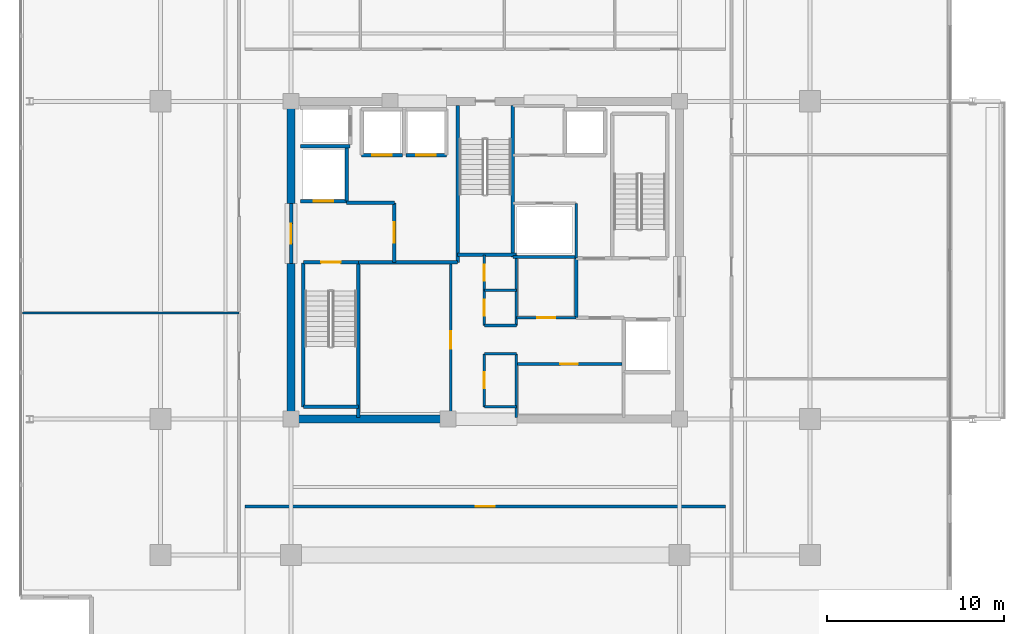
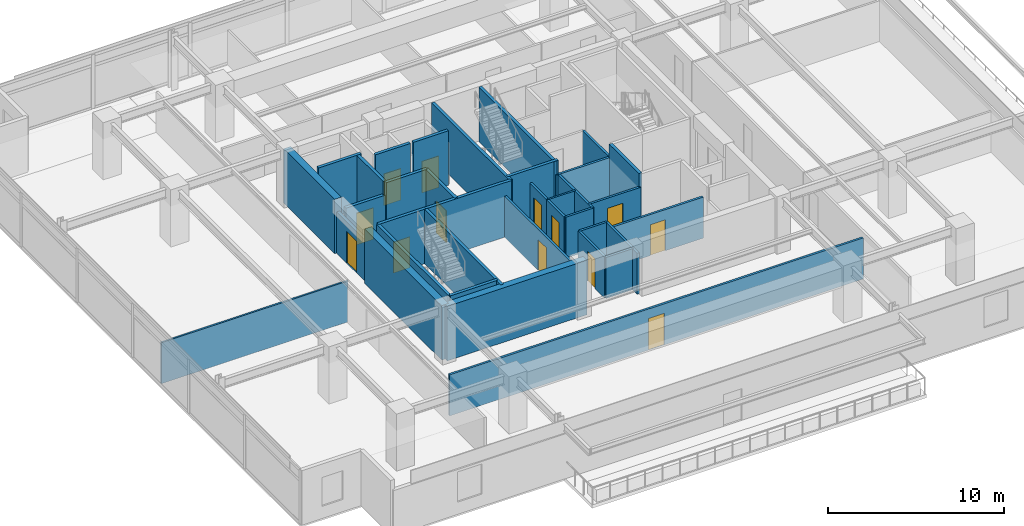
# One storey, part 14 of 21: 36 walls, 13 doors, 13 openings.
"""IFC4 building model written with IfcOpenShell, lengths in metres."""

from ifc_helpers import new_model, si_unit, direction, frame, frame_2d, origin, place, context, subcontext, project, spatial, rectangle, extrude, material, layer, layer_set, type_object, element, fill, save


model = new_model("IFC4")

# Units and contexts
model_context = context("Model", 3, precision=1e-05, world=origin(), true_north=direction((0.0, 1.0)))
body_context = subcontext(model_context, "Body", "Model", "MODEL_VIEW")
ifc_project = project(units=[si_unit("LENGTHUNIT", "METRE"), si_unit("AREAUNIT", "SQUARE_METRE"), si_unit("VOLUMEUNIT", "CUBIC_METRE"), si_unit("PLANEANGLEUNIT", "RADIAN"), si_unit("MASSUNIT", "GRAM", prefix="KILO")], contexts=[model_context])

# Site, building, storey
site_placement = place(None, origin())
site = spatial("IfcSite", under=ifc_project, at=site_placement, CompositionType="ELEMENT")
building_placement = place(site_placement, origin())
building = spatial("IfcBuilding", under=site, at=building_placement, Name="Kovane Verandah Tower", CompositionType="ELEMENT")
storey_placement = place(building_placement, frame((0.0, 0.0, 263.199951171875)))
storey = spatial("IfcBuildingStorey", under=building, at=storey_placement, Name="L61", CompositionType="ELEMENT", Elevation=263.199951171875)

# Walls
ifc_material_1 = material(Name="Fire-Rated Gypsum Stud Partition", Category="gypsum")
ifc_layer_1 = layer(ifc_material_1, 0.14990234375)
ifc_layer_set_1 = layer_set([ifc_layer_1], Name="Fire-Rated Gypsum Stud Partition")
wall_type_1 = type_object("IfcWallType", Name="WL-COR-150", PredefinedType="PARTITIONING", material=ifc_layer_set_1)
for number, where, z_axis, x_axis, name in (
    (1, (39.949951171875, 19.199951171875, 0.0), (0.0, 0.0, 1.0), (1.0, 0.0, 0.0), "L61 Central Core Strip South Wall"),
    (2, (39.949951171875, 22.199951171875, 0.0), (0.0, 0.0, 1.0), (1.0, 0.0, 0.0), "L61 Core Cross-Passage South Wall"),
    (3, (39.949951171875, 23.800048828125, 0.0), (0.0, 0.0, 1.0), (1.0, 0.0, 0.0), "L61 Core Cross-Passage North Wall"),
):
    element("IfcWall", number, at=place(storey_placement, frame(where, z_axis=z_axis, x_axis=x_axis)), inside=storey, type_object=wall_type_1, Name=name, PredefinedType="PARTITIONING", context=body_context, shape_type="SweptSolid", body=[
        extrude(rectangle(XDim=1.81005859375, YDim=0.14990234375, at=frame_2d((0.905029296875, 0.0))), origin(), (0.0, 0.0, 1.0), 2.85009765625),
    ])
wall_1_placement = place(storey_placement, frame((41.760009765625, 18.60009765625, 0.0), z_axis=(0.0, 0.0, 1.0), x_axis=(0.0, 1.0, 0.0)))
element("IfcWall", 4, at=wall_1_placement, inside=storey, type_object=wall_type_1, Name="L61 Central Core Strip Lower East Wall", PredefinedType="PARTITIONING", context=body_context, shape_type="SweptSolid", body=[
    extrude(rectangle(XDim=3.599853515625, YDim=0.14990234375, at=frame_2d((1.7998046875, 0.0))), origin(), (0.0, 0.0, 1.0), 2.85009765625),
])
wall_2_placement = place(storey_placement, frame((41.760009765625, 23.800048828125, 0.0), z_axis=(0.0, 0.0, 1.0), x_axis=(0.0, 1.0, 0.0)))
element("IfcWall", 5, at=wall_2_placement, inside=storey, type_object=wall_type_1, Name="L61 Central Core Strip Upper East Wall", PredefinedType="PARTITIONING", context=body_context, shape_type="SweptSolid", body=[
    extrude(rectangle(XDim=4.0, YDim=0.14990234375, at=frame_2d((2.0, 0.0))), origin(), (0.0, 0.0, 1.0), 2.85009765625),
])

# Wall, opening, door
wall_3_placement = place(storey_placement, frame((39.949951171875, 19.199951171875, 0.0), z_axis=(0.0, 0.0, 1.0), x_axis=(0.0, 1.0, 0.0)))
wall_3 = element("IfcWall", 6, at=wall_3_placement, inside=storey, type_object=wall_type_1, Name="L61 Male Toilet Partition", PredefinedType="PARTITIONING", context=body_context, shape_type="SweptSolid", body=[
    extrude(rectangle(XDim=3.0, YDim=0.14990234375, at=frame_2d((1.5, 0.0))), origin(), (0.0, 0.0, 1.0), 2.85009765625),
])
opening_1_placement = place(wall_3_placement, frame((1.050048828125, 0.0, 0.0)))
opening_1 = element("IfcOpeningElement", 7, at=opening_1_placement, cuts=wall_3, Name="Opening DR-L61-026", PredefinedType="OPENING", context=body_context, shape_type="SweptSolid", body=[
    extrude(rectangle(XDim=0.89990234375, YDim=2.10009765625, at=frame_2d((0.449951171875, 1.050048828125))), frame((0.0, 0.074951171875, 0.0), z_axis=(0.0, -1.0, 0.0), x_axis=(1.0, 0.0, 0.0)), (0.0, 0.0, 1.0), 0.14990234375),
])
ifc_material_2 = material(Name="Moisture-Resistant Laminate Washroom Door", Category="wood")
door_type_1 = type_object("IfcDoorType", Name="DR-WC-900", OperationType="SINGLE_SWING_LEFT", PredefinedType="DOOR", material=ifc_material_2)
door_1_placement = place(opening_1_placement, origin())
door_1 = element("IfcDoor", 8, at=door_1_placement, inside=storey, type_object=door_type_1, Name="L61 Male Toilet Door", OperationType="SINGLE_SWING_RIGHT", OverallHeight=2.10009765625, OverallWidth=0.89990234375, PredefinedType="DOOR", context=body_context, shape_type="SweptSolid", body=[
    extrude(rectangle(XDim=0.89990234375, YDim=2.10009765625, at=frame_2d((0.449951171875, 1.050048828125))), frame((0.0, 0.02490234375, 0.0), z_axis=(0.0, -1.0, 0.0), x_axis=(1.0, 0.0, 0.0)), (0.0, 0.0, 1.0), 0.050048828125),
])
fill(opening_1, door_1)

wall_4_placement = place(storey_placement, frame((39.949951171875, 23.800048828125, 0.0), z_axis=(0.0, 0.0, 1.0), x_axis=(0.0, 1.0, 0.0)))
wall_4 = element("IfcWall", 9, at=wall_4_placement, inside=storey, type_object=wall_type_1, Name="L61 Female Toilet Partition", PredefinedType="PARTITIONING", context=body_context, shape_type="SweptSolid", body=[
    extrude(rectangle(XDim=2.0, YDim=0.14990234375, at=frame_2d((1.0, 0.0))), origin(), (0.0, 0.0, 1.0), 2.85009765625),
])
opening_2_placement = place(wall_4_placement, frame((0.550048828125, 0.0, 0.0)))
opening_2 = element("IfcOpeningElement", 10, at=opening_2_placement, cuts=wall_4, Name="Opening DR-L61-025", PredefinedType="OPENING", context=body_context, shape_type="SweptSolid", body=[
    extrude(rectangle(XDim=0.89990234375, YDim=2.10009765625, at=frame_2d((0.449951171875, 1.050048828125))), frame((0.0, 0.074951171875, 0.0), z_axis=(0.0, -1.0, 0.0), x_axis=(1.0, 0.0, 0.0)), (0.0, 0.0, 1.0), 0.14990234375),
])
door_2_placement = place(opening_2_placement, origin())
door_2 = element("IfcDoor", 11, at=door_2_placement, inside=storey, type_object=door_type_1, Name="L61 Female Toilet Door", OperationType="SINGLE_SWING_LEFT", OverallHeight=2.10009765625, OverallWidth=0.89990234375, PredefinedType="DOOR", context=body_context, shape_type="SweptSolid", body=[
    extrude(rectangle(XDim=0.89990234375, YDim=2.10009765625, at=frame_2d((0.449951171875, 1.050048828125))), frame((0.0, 0.02490234375, 0.0), z_axis=(0.0, -1.0, 0.0), x_axis=(1.0, 0.0, 0.0)), (0.0, 0.0, 1.0), 0.050048828125),
])
fill(opening_2, door_2)

wall_5_placement = place(storey_placement, frame((39.949951171875, 25.800048828125, 0.0), z_axis=(0.0, 0.0, 1.0), x_axis=(0.0, 1.0, 0.0)))
wall_5 = element("IfcWall", 12, at=wall_5_placement, inside=storey, type_object=wall_type_1, Name="L61 Accessible Unisex Toilet Partition", PredefinedType="PARTITIONING", context=body_context, shape_type="SweptSolid", body=[
    extrude(rectangle(XDim=2.0, YDim=0.14990234375, at=frame_2d((1.0, 0.0))), origin(), (0.0, 0.0, 1.0), 2.85009765625),
])
opening_3_placement = place(wall_5_placement, frame((0.550048828125, 0.0, 0.0)))
opening_3 = element("IfcOpeningElement", 13, at=opening_3_placement, cuts=wall_5, Name="Opening DR-L61-024", PredefinedType="OPENING", context=body_context, shape_type="SweptSolid", body=[
    extrude(rectangle(XDim=0.89990234375, YDim=2.10009765625, at=frame_2d((0.449951171875, 1.050048828125))), frame((0.0, 0.074951171875, 0.0), z_axis=(0.0, -1.0, 0.0), x_axis=(1.0, 0.0, 0.0)), (0.0, 0.0, 1.0), 0.14990234375),
])
door_3_placement = place(opening_3_placement, origin())
door_3 = element("IfcDoor", 14, at=door_3_placement, inside=storey, type_object=door_type_1, Name="L61 Accessible Unisex Toilet Door", OperationType="SINGLE_SWING_RIGHT", OverallHeight=2.10009765625, OverallWidth=0.89990234375, PredefinedType="DOOR", context=body_context, shape_type="SweptSolid", body=[
    extrude(rectangle(XDim=0.89990234375, YDim=2.10009765625, at=frame_2d((0.449951171875, 1.050048828125))), frame((0.0, 0.02490234375, 0.0), z_axis=(0.0, -1.0, 0.0), x_axis=(1.0, 0.0, 0.0)), (0.0, 0.0, 1.0), 0.050048828125),
])
fill(opening_3, door_3)

wall_6_placement = place(storey_placement, frame((38.050048828125, 18.60009765625, 0.0), z_axis=(0.0, 0.0, 1.0), x_axis=(0.0, 1.0, 0.0)))
wall_6 = element("IfcWall", 15, at=wall_6_placement, inside=storey, type_object=wall_type_1, Name="L61 Tenant Wellness and Archive Suite Partition", PredefinedType="PARTITIONING", context=body_context, shape_type="SweptSolid", body=[
    extrude(rectangle(XDim=8.77978515625, YDim=0.14990234375, at=frame_2d((4.389892578125, 0.0))), origin(), (0.0, 0.0, 1.0), 2.85009765625),
])
opening_4_placement = place(wall_6_placement, frame((3.889892578125, 0.0, 0.0)))
opening_4 = element("IfcOpeningElement", 16, at=opening_4_placement, cuts=wall_6, Name="Opening DR-L61-014", PredefinedType="OPENING", context=body_context, shape_type="SweptSolid", body=[
    extrude(rectangle(XDim=1.0, YDim=2.14990234375, at=frame_2d((0.5, 1.074951171875))), frame((0.0, 0.074951171875, 0.0), z_axis=(0.0, -1.0, 0.0), x_axis=(1.0, 0.0, 0.0)), (0.0, 0.0, 1.0), 0.14990234375),
])
ifc_material_3 = material(Name="FSC Spotted-Gum Timber Fire-Rated Office Door", Category="wood")
door_type_2 = type_object("IfcDoorType", Name="DR-OFF-1000", OperationType="SINGLE_SWING_LEFT", PredefinedType="DOOR", material=ifc_material_3)
door_4_placement = place(opening_4_placement, origin())
door_4 = element("IfcDoor", 17, at=door_4_placement, inside=storey, type_object=door_type_2, Name="L61 Tenant Wellness and Archive Suite Door", OperationType="SINGLE_SWING_LEFT", OverallHeight=2.14990234375, OverallWidth=1.0, PredefinedType="DOOR", context=body_context, shape_type="SweptSolid", body=[
    extrude(rectangle(XDim=1.0, YDim=2.14990234375, at=frame_2d((0.5, 1.074951171875))), frame((0.0, 0.02490234375, 0.0), z_axis=(0.0, -1.0, 0.0), x_axis=(1.0, 0.0, 0.0)), (0.0, 0.0, 1.0), 0.050048828125),
])
fill(opening_4, door_4)

# Wall
wall_7_placement = place(storey_placement, frame((41.56005859375, 27.679931640625, 0.0), z_axis=(0.0, 0.0, 1.0), x_axis=(1.0, 0.0, 0.0)))
element("IfcWall", 18, at=wall_7_placement, inside=storey, type_object=wall_type_1, Name="L61 East Core Service Riser South Wall", PredefinedType="PARTITIONING", context=body_context, shape_type="SweptSolid", body=[
    extrude(rectangle(XDim=3.58984375, YDim=0.14990234375, at=frame_2d((1.794921875, 0.0))), origin(), (0.0, 0.0, 1.0), 2.85009765625),
])

# Wall, opening, door
wall_8_placement = place(storey_placement, frame((41.760009765625, 21.6201171875, 0.0), z_axis=(0.0, 0.0, 1.0), x_axis=(1.0, 0.0, 0.0)))
wall_8 = element("IfcWall", 19, at=wall_8_placement, inside=storey, type_object=wall_type_1, Name="L61 Records Vault Room Partition", PredefinedType="PARTITIONING", context=body_context, shape_type="SweptSolid", body=[
    extrude(rectangle(XDim=5.97998046875, YDim=0.14990234375, at=frame_2d((2.989990234375, 0.0))), origin(), (0.0, 0.0, 1.0), 2.85009765625),
])
opening_5_placement = place(wall_8_placement, frame((2.489990234375, 0.0, 0.0)))
opening_5 = element("IfcOpeningElement", 20, at=opening_5_placement, cuts=wall_8, Name="Opening DR-L61-015", PredefinedType="OPENING", context=body_context, shape_type="SweptSolid", body=[
    extrude(rectangle(XDim=1.0, YDim=2.14990234375, at=frame_2d((0.5, 1.074951171875))), frame((0.0, 0.074951171875, 0.0), z_axis=(0.0, -1.0, 0.0), x_axis=(1.0, 0.0, 0.0)), (0.0, 0.0, 1.0), 0.14990234375),
])
door_5_placement = place(opening_5_placement, origin())
door_5 = element("IfcDoor", 21, at=door_5_placement, inside=storey, type_object=door_type_2, Name="L61 Records Vault Room Door", OperationType="SINGLE_SWING_RIGHT", OverallHeight=2.14990234375, OverallWidth=1.0, PredefinedType="DOOR", context=body_context, shape_type="SweptSolid", body=[
    extrude(rectangle(XDim=1.0, YDim=2.14990234375, at=frame_2d((0.5, 1.074951171875))), frame((0.0, 0.02490234375, 0.0), z_axis=(0.0, -1.0, 0.0), x_axis=(1.0, 0.0, 0.0)), (0.0, 0.0, 1.0), 0.050048828125),
])
fill(opening_5, door_5)

wall_9_placement = place(storey_placement, frame((41.760009765625, 24.25, 0.0), z_axis=(0.0, 0.0, 1.0), x_axis=(1.0, 0.0, 0.0)))
wall_9 = element("IfcWall", 22, at=wall_9_placement, inside=storey, type_object=wall_type_1, Name="L61 Document Archive Room Partition", PredefinedType="PARTITIONING", context=body_context, shape_type="SweptSolid", body=[
    extrude(rectangle(XDim=3.389892578125, YDim=0.14990234375, at=frame_2d((1.69482421875, 0.0))), origin(), (0.0, 0.0, 1.0), 2.85009765625),
])
opening_6_placement = place(wall_9_placement, frame((1.195068359375, 0.0, 0.0)))
opening_6 = element("IfcOpeningElement", 23, at=opening_6_placement, cuts=wall_9, Name="Opening DR-L61-016", PredefinedType="OPENING", context=body_context, shape_type="SweptSolid", body=[
    extrude(rectangle(XDim=1.0, YDim=2.14990234375, at=frame_2d((0.5, 1.074951171875))), frame((0.0, 0.074951171875, 0.0), z_axis=(0.0, -1.0, 0.0), x_axis=(1.0, 0.0, 0.0)), (0.0, 0.0, 1.0), 0.14990234375),
])
door_6_placement = place(opening_6_placement, origin())
door_6 = element("IfcDoor", 24, at=door_6_placement, inside=storey, type_object=door_type_2, Name="L61 Document Archive Room Door", OperationType="SINGLE_SWING_LEFT", OverallHeight=2.14990234375, OverallWidth=1.0, PredefinedType="DOOR", context=body_context, shape_type="SweptSolid", body=[
    extrude(rectangle(XDim=1.0, YDim=2.14990234375, at=frame_2d((0.5, 1.074951171875))), frame((0.0, 0.02490234375, 0.0), z_axis=(0.0, -1.0, 0.0), x_axis=(1.0, 0.0, 0.0)), (0.0, 0.0, 1.0), 0.050048828125),
])
fill(opening_6, door_6)

# Wall
wall_10_placement = place(storey_placement, frame((45.14990234375, 27.6201171875, 0.0), z_axis=(0.0, 0.0, 1.0), x_axis=(0.0, 1.0, 0.0)))
element("IfcWall", 25, at=wall_10_placement, inside=storey, type_object=wall_type_1, Name="L61 East Core Service Riser East Wall", PredefinedType="PARTITIONING", context=body_context, shape_type="SweptSolid", body=[
    extrude(rectangle(XDim=3.099853515625, YDim=0.14990234375, at=frame_2d((1.5498046875, 0.0))), origin(), (0.0, 0.0, 1.0), 2.85009765625),
])

# Wall, opening, door
wall_11_placement = place(storey_placement, frame((26.39990234375, 13.550048828125, 0.0), z_axis=(0.0, 0.0, 1.0), x_axis=(1.0, 0.0, 0.0)))
wall_11 = element("IfcWall", 26, at=wall_11_placement, inside=storey, type_object=wall_type_1, Name="L61 Executive Office S1 Corridor Partition", PredefinedType="PARTITIONING", context=body_context, shape_type="SweptSolid", body=[
    extrude(rectangle(XDim=27.2001953125, YDim=0.14990234375, at=frame_2d((13.60009765625, 0.0))), origin(), (0.0, 0.0, 1.0), 2.85009765625),
])
opening_7_placement = place(wall_11_placement, frame((13.074951171875, 0.0, 0.0)))
opening_7 = element("IfcOpeningElement", 27, at=opening_7_placement, cuts=wall_11, Name="Opening DR-L61-023", PredefinedType="OPENING", context=body_context, shape_type="SweptSolid", body=[
    extrude(rectangle(XDim=1.050048828125, YDim=2.199951171875, at=frame_2d((0.52490234375, 1.10009765625))), frame((0.0, 0.074951171875, 0.0), z_axis=(0.0, -1.0, 0.0), x_axis=(1.0, 0.0, 0.0)), (0.0, 0.0, 1.0), 0.14990234375),
])
ifc_material_4 = material(Name="FSC Blackbutt Timber Fire-Rated Executive Door", Category="wood")
door_type_3 = type_object("IfcDoorType", Name="DR-EXEC-1050", OperationType="SINGLE_SWING_LEFT", PredefinedType="DOOR", material=ifc_material_4)
door_7_placement = place(opening_7_placement, origin())
door_7 = element("IfcDoor", 28, at=door_7_placement, inside=storey, type_object=door_type_3, Name="L61 Executive Office S1 Entrance Door", OperationType="SINGLE_SWING_RIGHT", OverallHeight=2.199951171875, OverallWidth=1.050048828125, PredefinedType="DOOR", context=body_context, shape_type="SweptSolid", body=[
    extrude(rectangle(XDim=1.050048828125, YDim=2.199951171875, at=frame_2d((0.52490234375, 1.10009765625))), frame((0.0, 0.02490234375, 0.0), z_axis=(0.0, -1.0, 0.0), x_axis=(1.0, 0.0, 0.0)), (0.0, 0.0, 1.0), 0.050048828125),
])
fill(opening_7, door_7)

# Walls
ifc_material_5 = material(Name="Concrete C60/75", Category="concrete")
ifc_layer_2 = layer(ifc_material_5, 0.449951171875)
ifc_layer_set_2 = layer_set([ifc_layer_2], Name="Concrete C60/75")
wall_type_2 = type_object("IfcWallType", Name="WL-CORE-450", PredefinedType="SHEAR", material=ifc_layer_set_2)
wall_12_placement = place(storey_placement, frame((29.0, 18.5, 0.0), z_axis=(0.0, 0.0, 1.0), x_axis=(1.0, 0.0, 0.0)))
element("IfcWall", 29, at=wall_12_placement, inside=storey, type_object=wall_type_2, Name="L61 Core Shear Wall CS-1", PredefinedType="SHEAR", context=body_context, shape_type="SweptSolid", body=[
    extrude(rectangle(XDim=9.199951171875, YDim=0.449951171875, at=frame_2d((4.60009765625, 0.0))), origin(), (0.0, 0.0, 1.0), 3.78515625),
])
wall_13_placement = place(storey_placement, frame((29.0, 18.5, 0.0), z_axis=(0.0, 0.0, 1.0), x_axis=(0.0, 1.0, 0.0)))
element("IfcWall", 30, at=wall_13_placement, inside=storey, type_object=wall_type_2, Name="L61 Core Shear Wall CW-1", PredefinedType="SHEAR", context=body_context, shape_type="SweptSolid", body=[
    extrude(rectangle(XDim=8.800048828125, YDim=0.449951171875, at=frame_2d((4.39990234375, 0.0))), origin(), (0.0, 0.0, 1.0), 3.78515625),
])
wall_14_placement = place(storey_placement, frame((29.0, 30.699951171875, 0.0), z_axis=(0.0, 0.0, 1.0), x_axis=(0.0, 1.0, 0.0)))
element("IfcWall", 31, at=wall_14_placement, inside=storey, type_object=wall_type_2, Name="L61 Core Shear Wall CW-2", PredefinedType="SHEAR", context=body_context, shape_type="SweptSolid", body=[
    extrude(rectangle(XDim=5.800048828125, YDim=0.449951171875, at=frame_2d((2.89990234375, 0.0))), origin(), (0.0, 0.0, 1.0), 3.78515625),
])

# Wall, opening, door
ifc_material_6 = material(Name="Concrete C45/55 Fire Wall", Category="concrete")
ifc_layer_3 = layer(ifc_material_6, 0.199951171875)
ifc_layer_set_3 = layer_set([ifc_layer_3], Name="Concrete C45/55 Fire Wall")
wall_type_3 = type_object("IfcWallType", Name="WL-FFL-200", PredefinedType="PARTITIONING", material=ifc_layer_set_3)
wall_15_placement = place(storey_placement, frame((34.85009765625, 27.3798828125, 0.0), z_axis=(0.0, 0.0, 1.0), x_axis=(0.0, 1.0, 0.0)))
wall_15 = element("IfcWall", 32, at=wall_15_placement, inside=storey, type_object=wall_type_3, Name="W-L61-FFLW-E", PredefinedType="PARTITIONING", context=body_context, shape_type="SweptSolid", body=[
    extrude(rectangle(XDim=3.3701171875, YDim=0.199951171875, at=frame_2d((1.68505859375, 0.0))), origin(), (0.0, 0.0, 1.0), 3.78515625),
])
opening_8_placement = place(wall_15_placement, frame((1.110107421875, 0.0, 0.0)))
opening_8 = element("IfcOpeningElement", 33, at=opening_8_placement, cuts=wall_15, Name="Opening DR-L61-006", PredefinedType="OPENING", context=body_context, shape_type="SweptSolid", body=[
    extrude(rectangle(XDim=1.14990234375, YDim=2.199951171875, at=frame_2d((0.574951171875, 1.10009765625))), frame((0.0, 0.10009765625, 0.0), z_axis=(0.0, -1.0, 0.0), x_axis=(1.0, 0.0, 0.0)), (0.0, 0.0, 1.0), 0.199951171875),
])
ifc_material_7 = material(Name="Smoke-Sealed Firefighting Lobby Door", Category="steel")
door_type_4 = type_object("IfcDoorType", Name="DR-FFL-1150", OperationType="SINGLE_SWING_LEFT", PredefinedType="DOOR", material=ifc_material_7)
door_8_placement = place(opening_8_placement, origin())
door_8 = element("IfcDoor", 34, at=door_8_placement, inside=storey, type_object=door_type_4, Name="L61 West Firefighting Lobby Inner Door", OperationType="SINGLE_SWING_LEFT", OverallHeight=2.199951171875, OverallWidth=1.14990234375, PredefinedType="DOOR", context=body_context, shape_type="SweptSolid", body=[
    extrude(rectangle(XDim=1.14990234375, YDim=2.199951171875, at=frame_2d((0.574951171875, 1.10009765625))), frame((0.0, 0.02490234375, 0.0), z_axis=(0.0, -1.0, 0.0), x_axis=(1.0, 0.0, 0.0)), (0.0, 0.0, 1.0), 0.050048828125),
])
fill(opening_8, door_8)

wall_16_placement = place(storey_placement, frame((29.0, 27.300048828125, 0.0), z_axis=(0.0, 0.0, 1.0), x_axis=(0.0, 1.0, 0.0)))
wall_16 = element("IfcWall", 35, at=wall_16_placement, inside=storey, type_object=wall_type_3, Name="W-L61-FFLW-OUT", PredefinedType="PARTITIONING", context=body_context, shape_type="SweptSolid", body=[
    extrude(rectangle(XDim=3.39990234375, YDim=0.199951171875, at=frame_2d((1.699951171875, 0.0))), origin(), (0.0, 0.0, 1.0), 2.864990234375),
])
opening_9_placement = place(wall_16_placement, frame((1.125, 0.0, 0.0)))
opening_9 = element("IfcOpeningElement", 36, at=opening_9_placement, cuts=wall_16, Name="Opening DR-L61-007", PredefinedType="OPENING", context=body_context, shape_type="SweptSolid", body=[
    extrude(rectangle(XDim=1.14990234375, YDim=2.199951171875, at=frame_2d((0.574951171875, 1.10009765625))), frame((0.0, 0.10009765625, 0.0), z_axis=(0.0, -1.0, 0.0), x_axis=(1.0, 0.0, 0.0)), (0.0, 0.0, 1.0), 0.199951171875),
])
door_9_placement = place(opening_9_placement, origin())
door_9 = element("IfcDoor", 37, at=door_9_placement, inside=storey, type_object=door_type_4, Name="L61 West Firefighting Lobby Corridor Door", OperationType="SINGLE_SWING_RIGHT", OverallHeight=2.199951171875, OverallWidth=1.14990234375, PredefinedType="DOOR", context=body_context, shape_type="SweptSolid", body=[
    extrude(rectangle(XDim=1.14990234375, YDim=2.199951171875, at=frame_2d((0.574951171875, 1.10009765625))), frame((0.0, 0.02490234375, 0.0), z_axis=(0.0, -1.0, 0.0), x_axis=(1.0, 0.0, 0.0)), (0.0, 0.0, 1.0), 0.050048828125),
])
fill(opening_9, door_9)

# Walls
wall_17_placement = place(storey_placement, frame((32.820068359375, 27.3798828125, 0.0), z_axis=(0.0, 0.0, 1.0), x_axis=(1.0, 0.0, 0.0)))
element("IfcWall", 38, at=wall_17_placement, inside=storey, type_object=wall_type_3, Name="L61 West Firefighting Lobby South Fire Wall", PredefinedType="PARTITIONING", context=body_context, shape_type="SweptSolid", body=[
    extrude(rectangle(XDim=5.619873046875, YDim=0.199951171875, at=frame_2d((2.81005859375, 0.0))), origin(), (0.0, 0.0, 1.0), 3.78515625),
])
wall_18_placement = place(storey_placement, frame((32.14990234375, 30.75, 0.0), z_axis=(0.0, 0.0, 1.0), x_axis=(1.0, 0.0, 0.0)))
element("IfcWall", 39, at=wall_18_placement, inside=storey, type_object=wall_type_3, Name="L61 West Firefighting Lobby North Fire Wall", PredefinedType="PARTITIONING", context=body_context, shape_type="SweptSolid", body=[
    extrude(rectangle(XDim=2.7001953125, YDim=0.199951171875, at=frame_2d((1.35009765625, 0.0))), origin(), (0.0, 0.0, 1.0), 3.78515625),
])
wall_19_placement = place(storey_placement, frame((45.14990234375, 24.25, 0.0), z_axis=(0.0, 0.0, 1.0), x_axis=(0.0, 1.0, 0.0)))
element("IfcWall", 40, at=wall_19_placement, inside=storey, type_object=wall_type_3, Name="L61 East Firefighting Lobby West Fire Wall", PredefinedType="PARTITIONING", context=body_context, shape_type="SweptSolid", body=[
    extrude(rectangle(XDim=3.3701171875, YDim=0.199951171875, at=frame_2d((1.68505859375, 0.0))), origin(), (0.0, 0.0, 1.0), 3.78515625),
])

# Wall, opening, door
ifc_material_8 = material(Name="Concrete C45/55 Lift Shaft Wall", Category="concrete")
ifc_layer_4 = layer(ifc_material_8, 0.199951171875)
ifc_layer_set_4 = layer_set([ifc_layer_4], Name="Concrete C45/55 Lift Shaft Wall")
wall_type_4 = type_object("IfcWallType", Name="WL-LIFT-200", PredefinedType="SOLIDWALL", material=ifc_layer_set_4)
wall_20_placement = place(storey_placement, frame((29.550048828125, 30.85009765625, 0.0), z_axis=(0.0, 0.0, 1.0), x_axis=(1.0, 0.0, 0.0)))
wall_20 = element("IfcWall", 41, at=wall_20_placement, inside=storey, type_object=wall_type_4, Name="L61 Lift FL-01 S Shaft Wall", PredefinedType="SOLIDWALL", context=body_context, shape_type="SweptSolid", body=[
    extrude(rectangle(XDim=2.599853515625, YDim=0.199951171875, at=frame_2d((1.2998046875, 0.0))), origin(), (0.0, 0.0, 1.0), 2.864990234375),
])
opening_10_placement = place(wall_20_placement, frame((0.75, 0.0, 0.0)))
opening_10 = element("IfcOpeningElement", 42, at=opening_10_placement, cuts=wall_20, Name="Opening LD-L61-001", PredefinedType="OPENING", context=body_context, shape_type="SweptSolid", body=[
    extrude(rectangle(XDim=1.10009765625, YDim=2.199951171875, at=frame_2d((0.550048828125, 1.10009765625))), frame((0.0, 0.10009765625, 0.0), z_axis=(0.0, -1.0, 0.0), x_axis=(1.0, 0.0, 0.0)), (0.0, 0.0, 1.0), 0.199951171875),
])
ifc_material_9 = material(Name="Brushed Stainless Steel Sliding Lift Landing Door", Category="steel")
door_type_5 = type_object("IfcDoorType", Name="DR-LIFT-1100", OperationType="SLIDING_TO_RIGHT", PredefinedType="DOOR", material=ifc_material_9)
door_10_placement = place(opening_10_placement, origin())
door_10 = element("IfcDoor", 43, at=door_10_placement, inside=storey, type_object=door_type_5, Name="L61 Lift FL-01 Sliding Landing Door", OperationType="SLIDING_TO_RIGHT", OverallHeight=2.199951171875, OverallWidth=1.10009765625, PredefinedType="DOOR", context=body_context, shape_type="SweptSolid", body=[
    extrude(rectangle(XDim=1.10009765625, YDim=2.199951171875, at=frame_2d((0.550048828125, 1.10009765625))), frame((0.0, 0.02490234375, 0.0), z_axis=(0.0, -1.0, 0.0), x_axis=(1.0, 0.0, 0.0)), (0.0, 0.0, 1.0), 0.050048828125),
])
fill(opening_10, door_10)

# Walls
wall_21_placement = place(storey_placement, frame((29.550048828125, 33.949951171875, 0.0), z_axis=(0.0, 0.0, 1.0), x_axis=(1.0, 0.0, 0.0)))
element("IfcWall", 44, at=wall_21_placement, inside=storey, type_object=wall_type_4, Name="L61 Lift FL-01 and GL-01 Shared Shaft Wall", PredefinedType="SOLIDWALL", context=body_context, shape_type="SweptSolid", body=[
    extrude(rectangle(XDim=2.800048828125, YDim=0.199951171875, at=frame_2d((1.39990234375, 0.0))), origin(), (0.0, 0.0, 1.0), 3.78515625),
])
wall_22_placement = place(storey_placement, frame((32.14990234375, 30.85009765625, 0.0), z_axis=(0.0, 0.0, 1.0), x_axis=(0.0, 1.0, 0.0)))
element("IfcWall", 45, at=wall_22_placement, inside=storey, type_object=wall_type_4, Name="L61 Lift FL-01 E Shaft Wall", PredefinedType="SOLIDWALL", context=body_context, shape_type="SweptSolid", body=[
    extrude(rectangle(XDim=3.0, YDim=0.199951171875, at=frame_2d((1.5, 0.0))), origin(), (0.0, 0.0, 1.0), 3.78515625),
])

# Wall, opening, door
wall_23_placement = place(storey_placement, frame((33.0, 33.449951171875, 0.0), z_axis=(0.0, 0.0, 1.0), x_axis=(1.0, 0.0, 0.0)))
wall_23 = element("IfcWall", 46, at=wall_23_placement, inside=storey, type_object=wall_type_4, Name="L61 Lift PL-H1 S Shaft Wall", PredefinedType="SOLIDWALL", context=body_context, shape_type="SweptSolid", body=[
    extrude(rectangle(XDim=2.300048828125, YDim=0.199951171875, at=frame_2d((1.14990234375, 0.0))), origin(), (0.0, 0.0, 1.0), 3.78515625),
])
opening_11_placement = place(wall_23_placement, frame((0.60009765625, 0.0, 0.0)))
opening_11 = element("IfcOpeningElement", 47, at=opening_11_placement, cuts=wall_23, Name="Opening LD-L61-004", PredefinedType="OPENING", context=body_context, shape_type="SweptSolid", body=[
    extrude(rectangle(XDim=1.10009765625, YDim=2.199951171875, at=frame_2d((0.550048828125, 1.10009765625))), frame((0.0, 0.10009765625, 0.0), z_axis=(0.0, -1.0, 0.0), x_axis=(1.0, 0.0, 0.0)), (0.0, 0.0, 1.0), 0.199951171875),
])
door_11_placement = place(opening_11_placement, origin())
door_11 = element("IfcDoor", 48, at=door_11_placement, inside=storey, type_object=door_type_5, Name="L61 Lift PL-H1 Sliding Landing Door", OperationType="SLIDING_TO_RIGHT", OverallHeight=2.199951171875, OverallWidth=1.10009765625, PredefinedType="DOOR", context=body_context, shape_type="SweptSolid", body=[
    extrude(rectangle(XDim=1.10009765625, YDim=2.199951171875, at=frame_2d((0.550048828125, 1.10009765625))), frame((0.0, 0.02490234375, 0.0), z_axis=(0.0, -1.0, 0.0), x_axis=(1.0, 0.0, 0.0)), (0.0, 0.0, 1.0), 0.050048828125),
])
fill(opening_11, door_11)

wall_24_placement = place(storey_placement, frame((35.5, 33.449951171875, 0.0), z_axis=(0.0, 0.0, 1.0), x_axis=(1.0, 0.0, 0.0)))
wall_24 = element("IfcWall", 49, at=wall_24_placement, inside=storey, type_object=wall_type_4, Name="L61 Lift PL-H2 S Shaft Wall", PredefinedType="SOLIDWALL", context=body_context, shape_type="SweptSolid", body=[
    extrude(rectangle(XDim=2.300048828125, YDim=0.199951171875, at=frame_2d((1.14990234375, 0.0))), origin(), (0.0, 0.0, 1.0), 3.78515625),
])
opening_12_placement = place(wall_24_placement, frame((0.60009765625, 0.0, 0.0)))
opening_12 = element("IfcOpeningElement", 50, at=opening_12_placement, cuts=wall_24, Name="Opening LD-L61-005", PredefinedType="OPENING", context=body_context, shape_type="SweptSolid", body=[
    extrude(rectangle(XDim=1.10009765625, YDim=2.199951171875, at=frame_2d((0.550048828125, 1.10009765625))), frame((0.0, 0.10009765625, 0.0), z_axis=(0.0, -1.0, 0.0), x_axis=(1.0, 0.0, 0.0)), (0.0, 0.0, 1.0), 0.199951171875),
])
door_12_placement = place(opening_12_placement, origin())
door_12 = element("IfcDoor", 51, at=door_12_placement, inside=storey, type_object=door_type_5, Name="L61 Lift PL-H2 Sliding Landing Door", OperationType="SLIDING_TO_RIGHT", OverallHeight=2.199951171875, OverallWidth=1.10009765625, PredefinedType="DOOR", context=body_context, shape_type="SweptSolid", body=[
    extrude(rectangle(XDim=1.10009765625, YDim=2.199951171875, at=frame_2d((0.550048828125, 1.10009765625))), frame((0.0, 0.02490234375, 0.0), z_axis=(0.0, -1.0, 0.0), x_axis=(1.0, 0.0, 0.0)), (0.0, 0.0, 1.0), 0.050048828125),
])
fill(opening_12, door_12)

# Walls
ifc_material_10 = material(Name="Acoustic Fire-Rated Gypsum Partition", Category="gypsum")
ifc_layer_5 = layer(ifc_material_10, 0.1201171875)
ifc_layer_set_5 = layer_set([ifc_layer_5], Name="Acoustic Fire-Rated Gypsum Partition")
wall_type_5 = type_object("IfcWallType", Name="WL-PART-120", PredefinedType="PARTITIONING", material=ifc_layer_set_5)
wall_25_placement = place(storey_placement, frame((39.949951171875, 25.800048828125, 0.0), z_axis=(0.0, 0.0, 1.0), x_axis=(1.0, 0.0, 0.0)))
element("IfcWall", 52, at=wall_25_placement, inside=storey, type_object=wall_type_5, Name="L61 Central Core Strip Upper Dividing Partition", PredefinedType="PARTITIONING", context=body_context, shape_type="SweptSolid", body=[
    extrude(rectangle(XDim=1.81005859375, YDim=0.1201171875, at=frame_2d((0.905029296875, 0.0))), origin(), (0.0, 0.0, 1.0), 2.85009765625),
])
wall_26_placement = place(storey_placement, frame((13.79248046875, 24.51123046875, 0.0), z_axis=(0.0, 0.0, 1.0), x_axis=(1.0, 0.0, 0.0)))
element("IfcWall", 53, at=wall_26_placement, inside=storey, type_object=wall_type_5, Name="L61 Client Boardroom W1 Dividing Partition", PredefinedType="PARTITIONING", context=body_context, shape_type="SweptSolid", body=[
    extrude(rectangle(XDim=12.257568359375, YDim=0.1201171875, at=frame_2d((6.12890625, 0.0))), origin(), (0.0, 0.0, 1.0), 2.85009765625),
])
ifc_material_11 = material(Name="Concrete C45/55", Category="concrete")
ifc_layer_6 = layer(ifc_material_11, 0.199951171875)
ifc_layer_set_6 = layer_set([ifc_layer_6], Name="Concrete C45/55")
wall_type_6 = type_object("IfcWallType", Name="WL-SHAFT-200", PredefinedType="SOLIDWALL", material=ifc_layer_set_6)
wall_27_placement = place(storey_placement, frame((29.699951171875, 19.199951171875, 0.0), z_axis=(0.0, 0.0, 1.0), x_axis=(0.0, 1.0, 0.0)))
element("IfcWall", 54, at=wall_27_placement, inside=storey, type_object=wall_type_6, Name="W-L61-ST01-W", PredefinedType="SOLIDWALL", context=body_context, shape_type="SweptSolid", body=[
    extrude(rectangle(XDim=8.150146484375, YDim=0.199951171875, at=frame_2d((4.0751953125, 0.0))), origin(), (0.0, 0.0, 1.0), 3.78515625),
])
wall_28_placement = place(storey_placement, frame((29.699951171875, 19.199951171875, 0.0), z_axis=(0.0, 0.0, 1.0), x_axis=(1.0, 0.0, 0.0)))
element("IfcWall", 55, at=wall_28_placement, inside=storey, type_object=wall_type_6, Name="W-L61-ST01-S", PredefinedType="SOLIDWALL", context=body_context, shape_type="SweptSolid", body=[
    extrude(rectangle(XDim=3.1201171875, YDim=0.199951171875, at=frame_2d((1.56005859375, 0.0))), origin(), (0.0, 0.0, 1.0), 3.78515625),
])
wall_29_placement = place(storey_placement, frame((32.820068359375, 18.60009765625, 0.0), z_axis=(0.0, 0.0, 1.0), x_axis=(0.0, 1.0, 0.0)))
element("IfcWall", 56, at=wall_29_placement, inside=storey, type_object=wall_type_6, Name="W-L61-ST01-E", PredefinedType="SOLIDWALL", context=body_context, shape_type="SweptSolid", body=[
    extrude(rectangle(XDim=8.77978515625, YDim=0.199951171875, at=frame_2d((4.389892578125, 0.0))), origin(), (0.0, 0.0, 1.0), 3.78515625),
])

# Wall, opening, door
wall_30_placement = place(storey_placement, frame((29.699951171875, 27.3798828125, 0.0), z_axis=(0.0, 0.0, 1.0), x_axis=(1.0, 0.0, 0.0)))
wall_30 = element("IfcWall", 57, at=wall_30_placement, inside=storey, type_object=wall_type_6, Name="W-L61-ST01-N", PredefinedType="SOLIDWALL", context=body_context, shape_type="SweptSolid", body=[
    extrude(rectangle(XDim=3.1201171875, YDim=0.199951171875, at=frame_2d((1.56005859375, 0.0))), origin(), (0.0, 0.0, 1.0), 3.78515625),
])
opening_13_placement = place(wall_30_placement, frame((1.010009765625, 0.0, 0.0)))
opening_13 = element("IfcOpeningElement", 58, at=opening_13_placement, cuts=wall_30, Name="Opening DR-L61-008", PredefinedType="OPENING", context=body_context, shape_type="SweptSolid", body=[
    extrude(rectangle(XDim=1.10009765625, YDim=2.14990234375, at=frame_2d((0.550048828125, 1.074951171875))), frame((0.0, 0.10009765625, 0.0), z_axis=(0.0, -1.0, 0.0), x_axis=(1.0, 0.0, 0.0)), (0.0, 0.0, 1.0), 0.199951171875),
])
ifc_material_12 = material(Name="Fire-Rated Steel Exit Door", Category="steel")
door_type_6 = type_object("IfcDoorType", Name="DR-STAIR-1100", OperationType="SINGLE_SWING_LEFT", PredefinedType="DOOR", material=ifc_material_12)
door_13_placement = place(opening_13_placement, origin())
door_13 = element("IfcDoor", 59, at=door_13_placement, inside=storey, type_object=door_type_6, Name="L61 ST-01 Fire Exit Stair Door", OperationType="SINGLE_SWING_LEFT", OverallHeight=2.14990234375, OverallWidth=1.10009765625, PredefinedType="DOOR", context=body_context, shape_type="SweptSolid", body=[
    extrude(rectangle(XDim=1.10009765625, YDim=2.14990234375, at=frame_2d((0.550048828125, 1.074951171875))), frame((0.0, 0.02490234375, 0.0), z_axis=(0.0, -1.0, 0.0), x_axis=(1.0, 0.0, 0.0)), (0.0, 0.0, 1.0), 0.050048828125),
])
fill(opening_13, door_13)

# Walls
wall_31_placement = place(storey_placement, frame((38.43994140625, 27.3798828125, 0.0), z_axis=(0.0, 0.0, 1.0), x_axis=(0.0, 1.0, 0.0)))
element("IfcWall", 60, at=wall_31_placement, inside=storey, type_object=wall_type_6, Name="W-L61-ST03-W", PredefinedType="SOLIDWALL", context=body_context, shape_type="SweptSolid", body=[
    extrude(rectangle(XDim=8.8701171875, YDim=0.199951171875, at=frame_2d((4.43505859375, 0.0))), origin(), (0.0, 0.0, 1.0), 3.78515625),
])
wall_32_placement = place(storey_placement, frame((41.56005859375, 27.679931640625, 0.0), z_axis=(0.0, 0.0, 1.0), x_axis=(0.0, 1.0, 0.0)))
element("IfcWall", 61, at=wall_32_placement, inside=storey, type_object=wall_type_6, Name="W-L61-ST03-E", PredefinedType="SOLIDWALL", context=body_context, shape_type="SweptSolid", body=[
    extrude(rectangle(XDim=8.570068359375, YDim=0.199951171875, at=frame_2d((4.28515625, 0.0))), origin(), (0.0, 0.0, 1.0), 3.78515625),
])
wall_33_placement = place(storey_placement, frame((38.43994140625, 27.800048828125, 0.0), z_axis=(0.0, 0.0, 1.0), x_axis=(1.0, 0.0, 0.0)))
element("IfcWall", 62, at=wall_33_placement, inside=storey, type_object=wall_type_6, Name="W-L61-ST03-S", PredefinedType="SOLIDWALL", context=body_context, shape_type="SweptSolid", body=[
    extrude(rectangle(XDim=3.320068359375, YDim=0.199951171875, at=frame_2d((1.66015625, 0.0))), origin(), (0.0, 0.0, 1.0), 3.78515625),
])

save(model, "model.ifc")
